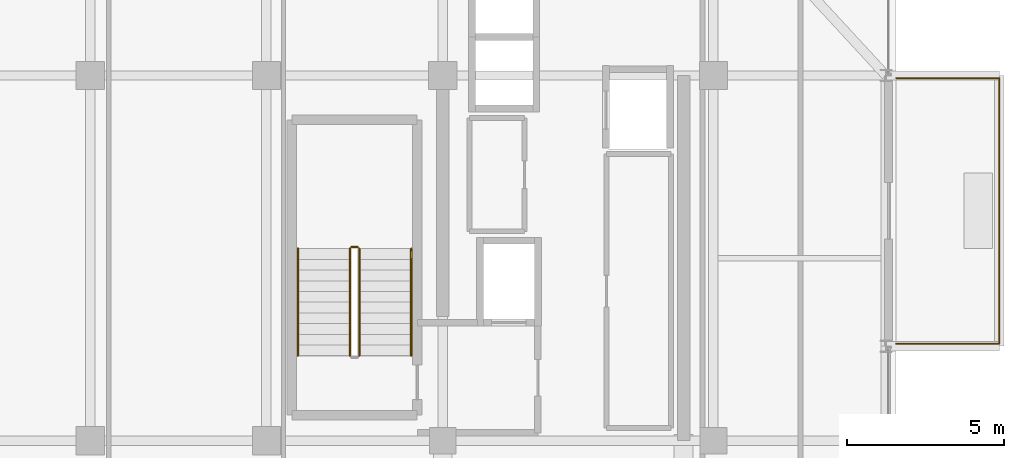
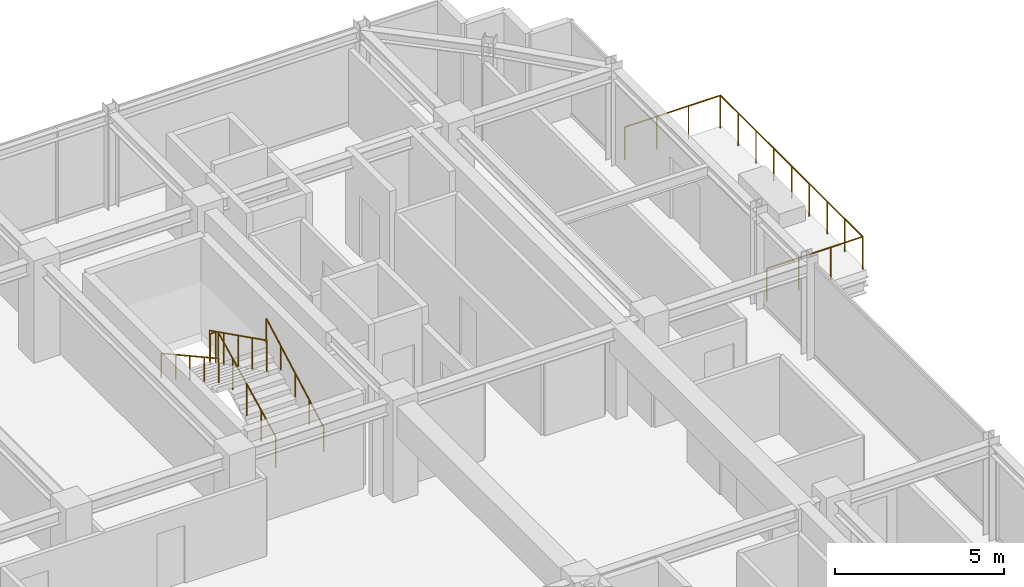
# One storey, part 31 of 32: 6 railings.
"""IFC4 building model written with IfcOpenShell, lengths in metres."""

from ifc_helpers import new_model, si_unit, direction, frame, origin, origin_2d, place, context, subcontext, project, spatial, circle, extrude, material, type_object, element, save


model = new_model("IFC4")

# Units and contexts
model_context = context("Model", 3, precision=1e-05, world=origin(), true_north=direction((0.0, 1.0)))
body_context = subcontext(model_context, "Body", "Model", "MODEL_VIEW")
ifc_project = project(units=[si_unit("LENGTHUNIT", "METRE"), si_unit("AREAUNIT", "SQUARE_METRE"), si_unit("VOLUMEUNIT", "CUBIC_METRE"), si_unit("PLANEANGLEUNIT", "RADIAN"), si_unit("MASSUNIT", "GRAM", prefix="KILO")], contexts=[model_context])

# Site, building, storey
site_placement = place(None, origin())
site = spatial("IfcSite", under=ifc_project, at=site_placement, CompositionType="ELEMENT")
building_placement = place(site_placement, origin())
building = spatial("IfcBuilding", under=site, at=building_placement, Name="Nahalor Promenade Grand Hotel", CompositionType="ELEMENT")
storey_placement = place(building_placement, frame((0.0, 0.0, 285.050048828125)))
storey = spatial("IfcBuildingStorey", under=building, at=storey_placement, Name="L73", CompositionType="ELEMENT", Elevation=285.050048828125)

# Railings
ifc_material_1 = material(Name="Anodised Bronze Aluminium EN AW-6063 T6", Category="aluminium")
railing_type_1 = type_object("IfcRailingType", Name="Bronze Balcony Guardrail 1200 mm", PredefinedType="GUARDRAIL", material=ifc_material_1)
railing_1_placement = place(storey_placement, frame((22.800048828125, 8.47998046875, 0.0)))
element("IfcRailing", 1, at=railing_1_placement, inside=storey, type_object=railing_type_1, Name="L73 Balcony Guardrail 2", PredefinedType="GUARDRAIL", context=body_context, shape_type="SweptSolid", body=[
    extrude(circle(Radius=0.024048, at=origin_2d()), frame((0.0, 0.0, 1.17578125), z_axis=(1.0, 0.0, 0.0), x_axis=(0.0, 1.0, 0.0)), (0.0, 0.0, 1.0), 3.278076171875),
    extrude(circle(Radius=0.024048, at=origin_2d()), frame((3.280029296875, 0.001953125, 1.17578125), z_axis=(0.0, 1.0, 0.0), x_axis=(-1.0, 0.0, 0.0)), (0.0, 0.0, 1.0), 8.43603515625),
    extrude(circle(Radius=0.024048, at=origin_2d()), frame((3.278076171875, 8.43994140625, 1.17578125), z_axis=(-1.0, 0.0, 0.0), x_axis=(0.0, -1.0, 0.0)), (0.0, 0.0, 1.0), 3.278076171875),
    extrude(circle(Radius=0.020996, at=origin_2d()), origin(), (0.0, 0.0, 1.0), 1.14990234375),
    extrude(circle(Radius=0.020996, at=origin_2d()), frame((1.09326171875, 0.0, 0.0)), (0.0, 0.0, 1.0), 1.14990234375),
    extrude(circle(Radius=0.020996, at=origin_2d()), frame((2.186767578125, 0.0, 0.0)), (0.0, 0.0, 1.0), 1.14990234375),
    extrude(circle(Radius=0.020996, at=origin_2d()), frame((3.280029296875, 0.0, 0.0)), (0.0, 0.0, 1.0), 1.14990234375),
    extrude(circle(Radius=0.020996, at=origin_2d()), frame((3.280029296875, 1.054931640625, 0.0)), (0.0, 0.0, 1.0), 1.14990234375),
    extrude(circle(Radius=0.020996, at=origin_2d()), frame((3.280029296875, 2.10986328125, 0.0)), (0.0, 0.0, 1.0), 1.14990234375),
    extrude(circle(Radius=0.020996, at=origin_2d()), frame((3.280029296875, 3.1650390625, 0.0)), (0.0, 0.0, 1.0), 1.14990234375),
    extrude(circle(Radius=0.020996, at=origin_2d()), frame((3.280029296875, 4.219970703125, 0.0)), (0.0, 0.0, 1.0), 1.14990234375),
    extrude(circle(Radius=0.020996, at=origin_2d()), frame((3.280029296875, 5.27490234375, 0.0)), (0.0, 0.0, 1.0), 1.14990234375),
    extrude(circle(Radius=0.020996, at=origin_2d()), frame((3.280029296875, 6.330078125, 0.0)), (0.0, 0.0, 1.0), 1.14990234375),
    extrude(circle(Radius=0.020996, at=origin_2d()), frame((3.280029296875, 7.385009765625, 0.0)), (0.0, 0.0, 1.0), 1.14990234375),
    extrude(circle(Radius=0.020996, at=origin_2d()), frame((3.280029296875, 8.43994140625, 0.0)), (0.0, 0.0, 1.0), 1.14990234375),
    extrude(circle(Radius=0.020996, at=origin_2d()), frame((2.186767578125, 8.43994140625, 0.0)), (0.0, 0.0, 1.0), 1.14990234375),
    extrude(circle(Radius=0.020996, at=origin_2d()), frame((1.09326171875, 8.43994140625, 0.0)), (0.0, 0.0, 1.0), 1.14990234375),
    extrude(circle(Radius=0.020996, at=origin_2d()), frame((0.0, 8.43994140625, 0.0)), (0.0, 0.0, 1.0), 1.14990234375),
])
ifc_material_2 = material(Name="Steel S355JR", Category="steel")
railing_type_2 = type_object("IfcRailingType", Name="Steel Stair Guardrail 1150 mm", PredefinedType="GUARDRAIL", material=ifc_material_2)
railing_2_placement = place(storey_placement, frame((5.75, 8.10009765625, 0.17041015625)))
element("IfcRailing", 2, at=railing_2_placement, inside=storey, type_object=railing_type_2, Name="L73 ST1 stair guard 1", PredefinedType="GUARDRAIL", context=body_context, shape_type="SweptSolid", body=[
    extrude(circle(Radius=0.024048, at=origin_2d()), frame((0.0, 0.0, 1.1259765625), z_axis=(0.0, 0.89393879905, 0.448189048899), x_axis=(-1.0, 0.0, 0.0)), (0.0, 0.0, 1.0), 3.80322265625),
    extrude(circle(Radius=0.020996, at=origin_2d()), origin(), (0.0, 0.0, 1.0), 1.099853515625),
    extrude(circle(Radius=0.020996, at=origin_2d()), frame((0.0, 0.85009765625, 0.42626953125)), (0.0, 0.0, 1.0), 1.099853515625),
    extrude(circle(Radius=0.020996, at=origin_2d()), frame((0.0, 1.699951171875, 0.852294921875)), (0.0, 0.0, 1.0), 1.099853515625),
    extrude(circle(Radius=0.020996, at=origin_2d()), frame((0.0, 2.5498046875, 1.2783203125)), (0.0, 0.0, 1.0), 1.099853515625),
    extrude(circle(Radius=0.020996, at=origin_2d()), frame((0.0, 3.39990234375, 1.70458984375)), (0.0, 0.0, 1.0), 1.099853515625),
])
railing_3_placement = place(storey_placement, frame((5.699951171875, 11.550048828125, 1.875)))
element("IfcRailing", 3, at=railing_3_placement, inside=storey, type_object=railing_type_2, Name="L73 ST1 stair guard 2", PredefinedType="GUARDRAIL", context=body_context, shape_type="SweptSolid", body=[
    extrude(circle(Radius=0.024048, at=origin_2d()), frame((0.0, 0.0, 1.1259765625), z_axis=(-1.0, 0.0, 0.0), x_axis=(0.0, -1.0, 0.0)), (0.0, 0.0, 1.0), 0.199951171875),
    extrude(circle(Radius=0.020996, at=origin_2d()), origin(), (0.0, 0.0, 1.0), 1.099853515625),
    extrude(circle(Radius=0.020996, at=origin_2d()), frame((-0.199951171875, 0.0, 0.0)), (0.0, 0.0, 1.0), 1.099853515625),
])
railing_4_placement = place(storey_placement, frame((5.449951171875, 11.5, 2.04541015625)))
element("IfcRailing", 4, at=railing_4_placement, inside=storey, type_object=railing_type_2, Name="L73 ST1 stair guard 3", PredefinedType="GUARDRAIL", context=body_context, shape_type="SweptSolid", body=[
    extrude(circle(Radius=0.024048, at=origin_2d()), frame((0.0, 0.0, 1.1259765625), z_axis=(0.0, -0.89393879905, 0.448189048899), x_axis=(1.0, 0.0, 0.0)), (0.0, 0.0, 1.0), 3.80322265625),
    extrude(circle(Radius=0.020996, at=origin_2d()), origin(), (0.0, 0.0, 1.0), 1.099853515625),
    extrude(circle(Radius=0.020996, at=origin_2d()), frame((0.0, -0.85009765625, 0.42626953125)), (0.0, 0.0, 1.0), 1.099853515625),
    extrude(circle(Radius=0.020996, at=origin_2d()), frame((0.0, -1.699951171875, 0.852294921875)), (0.0, 0.0, 1.0), 1.099853515625),
    extrude(circle(Radius=0.020996, at=origin_2d()), frame((0.0, -2.5498046875, 1.2783203125)), (0.0, 0.0, 1.0), 1.099853515625),
    extrude(circle(Radius=0.020996, at=origin_2d()), frame((0.0, -3.39990234375, 1.70458984375)), (0.0, 0.0, 1.0), 1.099853515625),
])
railing_type_3 = type_object("IfcRailingType", Name="Steel Stair Handrail 900 mm", PredefinedType="HANDRAIL", material=ifc_material_2)
railing_5_placement = place(storey_placement, frame((7.39990234375, 8.10009765625, 0.17041015625)))
element("IfcRailing", 5, at=railing_5_placement, inside=storey, type_object=railing_type_3, Name="L73 ST1 stair handrail 1", PredefinedType="HANDRAIL", context=body_context, shape_type="SweptSolid", body=[
    extrude(circle(Radius=0.024048, at=origin_2d()), frame((0.0, 0.0, 0.8759765625), z_axis=(0.0, 0.875665712831, 0.482917756322), x_axis=(-1.0, 0.0, 0.0)), (0.0, 0.0, 1.0), 3.882568359375),
    extrude(circle(Radius=0.020996, at=origin_2d()), origin(), (0.0, 0.0, 1.0), 0.849853515625),
    extrude(circle(Radius=0.020996, at=origin_2d()), frame((0.0, 0.85009765625, 0.46875)), (0.0, 0.0, 1.0), 0.849853515625),
    extrude(circle(Radius=0.020996, at=origin_2d()), frame((0.0, 1.699951171875, 0.9375)), (0.0, 0.0, 1.0), 0.849853515625),
    extrude(circle(Radius=0.020996, at=origin_2d()), frame((0.0, 2.5498046875, 1.40625)), (0.0, 0.0, 1.0), 0.849853515625),
    extrude(circle(Radius=0.020996, at=origin_2d()), frame((0.0, 3.39990234375, 1.875)), (0.0, 0.0, 1.0), 0.849853515625),
])
railing_6_placement = place(storey_placement, frame((3.800048828125, 11.5, 2.04541015625)))
element("IfcRailing", 6, at=railing_6_placement, inside=storey, type_object=railing_type_3, Name="L73 ST1 stair handrail 2", PredefinedType="HANDRAIL", context=body_context, shape_type="SweptSolid", body=[
    extrude(circle(Radius=0.024048, at=origin_2d()), frame((0.0, 0.0, 0.8759765625), z_axis=(0.0, -0.875665712831, 0.482917756322), x_axis=(1.0, 0.0, 0.0)), (0.0, 0.0, 1.0), 3.882568359375),
    extrude(circle(Radius=0.020996, at=origin_2d()), origin(), (0.0, 0.0, 1.0), 0.849853515625),
    extrude(circle(Radius=0.020996, at=origin_2d()), frame((0.0, -0.85009765625, 0.46875)), (0.0, 0.0, 1.0), 0.849853515625),
    extrude(circle(Radius=0.020996, at=origin_2d()), frame((0.0, -1.699951171875, 0.9375)), (0.0, 0.0, 1.0), 0.849853515625),
    extrude(circle(Radius=0.020996, at=origin_2d()), frame((0.0, -2.5498046875, 1.40625)), (0.0, 0.0, 1.0), 0.849853515625),
    extrude(circle(Radius=0.020996, at=origin_2d()), frame((0.0, -3.39990234375, 1.875)), (0.0, 0.0, 1.0), 0.849853515625),
])

save(model, "model.ifc")
